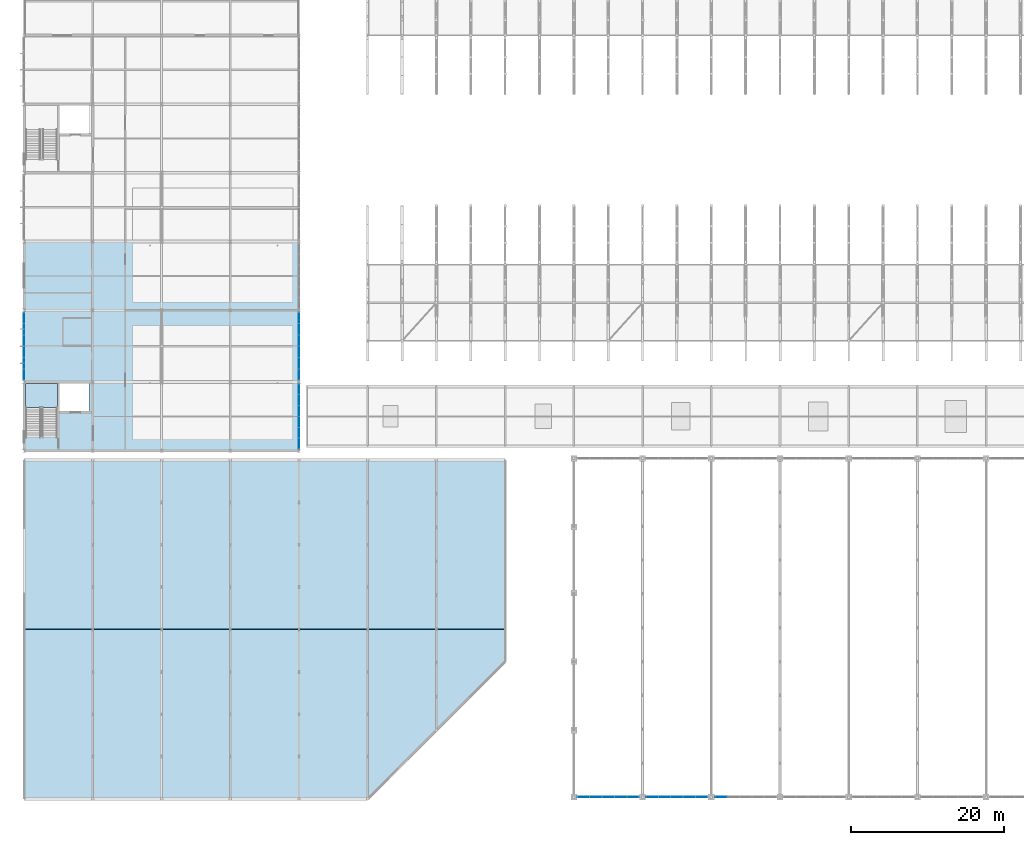
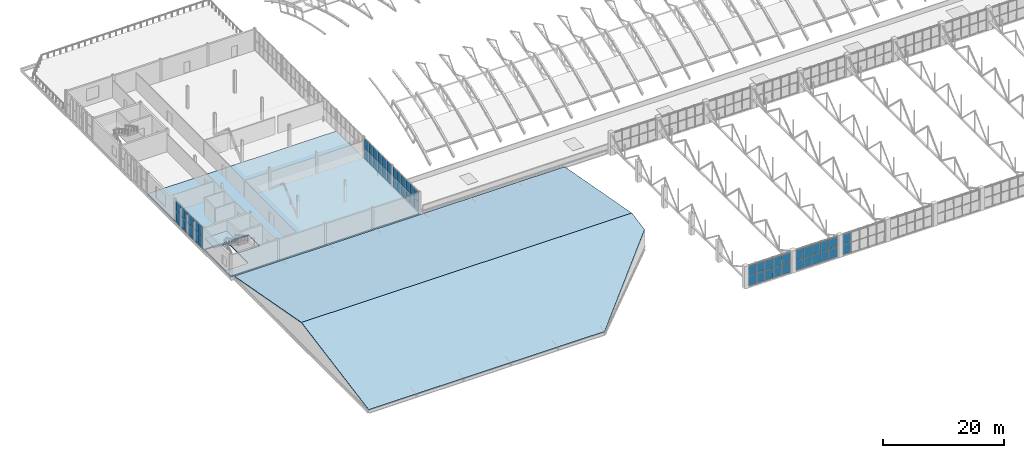
# One storey, part 72 of 103: 58 plates, 4 slabs, 7 elements without a shape of their own.
"""IFC4 building model written with IfcOpenShell, lengths in metres."""

from ifc_helpers import new_model, si_unit, direction, frame, origin, origin_2d, place, context, subcontext, project, spatial, polyline, rectangle, outline, extrude, material, layer, layer_set, type_object, element, aggregate, save


model = new_model("IFC4")

# Units and contexts
model_context = context("Model", 3, precision=1e-05, world=origin(), true_north=direction((0.0, 1.0)))
body_context = subcontext(model_context, "Body", "Model", "MODEL_VIEW")
ifc_project = project(units=[si_unit("LENGTHUNIT", "METRE"), si_unit("AREAUNIT", "SQUARE_METRE"), si_unit("VOLUMEUNIT", "CUBIC_METRE"), si_unit("PLANEANGLEUNIT", "RADIAN"), si_unit("MASSUNIT", "GRAM", prefix="KILO")], contexts=[model_context])

# Site, building, storey
site_placement = place(None, origin())
site = spatial("IfcSite", under=ifc_project, at=site_placement, CompositionType="ELEMENT")
building_placement = place(site_placement, origin())
building = spatial("IfcBuilding", under=site, at=building_placement, Name="Cazmaro Siding Exhibition Halls", CompositionType="ELEMENT")
storey_placement = place(building_placement, frame((0.0, 0.0, 16.5)))
storey = spatial("IfcBuildingStorey", under=building, at=storey_placement, Name="L03", CompositionType="ELEMENT", Elevation=16.5)

# Curtain wall, plates
ifc_material_1 = material(Name="Anodized Bronze Aluminum and Solar-Control Low-E Glazing", Category="aluminium")
ifc_layer_1 = layer(ifc_material_1, 0.179931640625)
ifc_layer_set_1 = layer_set([ifc_layer_1], Name="Anodized Bronze Aluminum and Solar-Control Low-E Glazing")
curtain_wall_type_1 = type_object("IfcCurtainWallType", Name="CWS-01", PredefinedType="USERDEFINED", material=ifc_layer_set_1)
curtain_wall_1_placement = place(storey_placement, origin())
curtain_wall_1 = element("IfcCurtainWall", 1, at=curtain_wall_1_placement, inside=storey, type_object=curtain_wall_type_1, Name="Glazed Curtain Wall CWS-01 CW-247", ObjectType="GLAZED CURTAIN WALL", PredefinedType="USERDEFINED")
ifc_material_2 = material(Name="Solar-Control Low-E Double Insulating Glass", Category="glass")
ifc_layer_2 = layer(ifc_material_2, 0.02392578125)
ifc_layer_set_2 = layer_set([ifc_layer_2], Name="Solar-Control Low-E Double Insulating Glass")
plate_type_1 = type_object("IfcPlateType", Name="CWP-01", PredefinedType="CURTAIN_PANEL", material=ifc_layer_set_2)
plate_1_placement = place(storey_placement, frame((36.0, 55.55908203125, 0.06005859375), z_axis=(0.0, 0.0, 1.0), x_axis=(0.0, 1.0, 0.0)))
plate_1 = element("IfcPlate", 2, at=plate_1_placement, type_object=plate_type_1, Name="CWS-01 panel 1.1", PredefinedType="CURTAIN_PANEL", context=body_context, shape_type="SweptSolid", body=[
    extrude(rectangle(XDim=1.332275390625, YDim=0.02392578125, at=origin_2d()), origin(), (0.0, 0.0, 1.0), 2.050048828125),
])
plate_2_placement = place(storey_placement, frame((36.0, 55.55908203125, 2.169921875), z_axis=(0.0, 0.0, 1.0), x_axis=(0.0, 1.0, 0.0)))
plate_2 = element("IfcPlate", 3, at=plate_2_placement, type_object=plate_type_1, Name="CWS-01 panel 1.2", PredefinedType="CURTAIN_PANEL", context=body_context, shape_type="SweptSolid", body=[
    extrude(rectangle(XDim=1.332275390625, YDim=0.02392578125, at=origin_2d()), origin(), (0.0, 0.0, 1.0), 2.050048828125),
])
plate_3_placement = place(storey_placement, frame((36.0, 56.966552734375, 0.06005859375), z_axis=(0.0, 0.0, 1.0), x_axis=(0.0, 1.0, 0.0)))
plate_3 = element("IfcPlate", 4, at=plate_3_placement, type_object=plate_type_1, Name="CWS-01 panel 2.1", PredefinedType="CURTAIN_PANEL", context=body_context, shape_type="SweptSolid", body=[
    extrude(rectangle(XDim=1.3623046875, YDim=0.02392578125, at=origin_2d()), origin(), (0.0, 0.0, 1.0), 2.050048828125),
])
plate_4_placement = place(storey_placement, frame((36.0, 56.966552734375, 2.169921875), z_axis=(0.0, 0.0, 1.0), x_axis=(0.0, 1.0, 0.0)))
plate_4 = element("IfcPlate", 5, at=plate_4_placement, type_object=plate_type_1, Name="CWS-01 panel 2.2", PredefinedType="CURTAIN_PANEL", context=body_context, shape_type="SweptSolid", body=[
    extrude(rectangle(XDim=1.3623046875, YDim=0.02392578125, at=origin_2d()), origin(), (0.0, 0.0, 1.0), 2.050048828125),
])
plate_5_placement = place(storey_placement, frame((36.0, 58.388916015625, 0.06005859375), z_axis=(0.0, 0.0, 1.0), x_axis=(0.0, 1.0, 0.0)))
plate_5 = element("IfcPlate", 6, at=plate_5_placement, type_object=plate_type_1, Name="CWS-01 panel 3.1", PredefinedType="CURTAIN_PANEL", context=body_context, shape_type="SweptSolid", body=[
    extrude(rectangle(XDim=1.3623046875, YDim=0.02392578125, at=origin_2d()), origin(), (0.0, 0.0, 1.0), 2.050048828125),
])
plate_6_placement = place(storey_placement, frame((36.0, 58.388916015625, 2.169921875), z_axis=(0.0, 0.0, 1.0), x_axis=(0.0, 1.0, 0.0)))
plate_6 = element("IfcPlate", 7, at=plate_6_placement, type_object=plate_type_1, Name="CWS-01 panel 3.2", PredefinedType="CURTAIN_PANEL", context=body_context, shape_type="SweptSolid", body=[
    extrude(rectangle(XDim=1.3623046875, YDim=0.02392578125, at=origin_2d()), origin(), (0.0, 0.0, 1.0), 2.050048828125),
])
plate_7_placement = place(storey_placement, frame((36.0, 59.811279296875, 0.06005859375), z_axis=(0.0, 0.0, 1.0), x_axis=(0.0, 1.0, 0.0)))
plate_7 = element("IfcPlate", 8, at=plate_7_placement, type_object=plate_type_1, Name="CWS-01 panel 4.1", PredefinedType="CURTAIN_PANEL", context=body_context, shape_type="SweptSolid", body=[
    extrude(rectangle(XDim=1.3623046875, YDim=0.02392578125, at=origin_2d()), origin(), (0.0, 0.0, 1.0), 2.050048828125),
])
plate_8_placement = place(storey_placement, frame((36.0, 59.811279296875, 2.169921875), z_axis=(0.0, 0.0, 1.0), x_axis=(0.0, 1.0, 0.0)))
plate_8 = element("IfcPlate", 9, at=plate_8_placement, type_object=plate_type_1, Name="CWS-01 panel 4.2", PredefinedType="CURTAIN_PANEL", context=body_context, shape_type="SweptSolid", body=[
    extrude(rectangle(XDim=1.3623046875, YDim=0.02392578125, at=origin_2d()), origin(), (0.0, 0.0, 1.0), 2.050048828125),
])
plate_9_placement = place(storey_placement, frame((36.0, 61.2333984375, 0.06005859375), z_axis=(0.0, 0.0, 1.0), x_axis=(0.0, 1.0, 0.0)))
plate_9 = element("IfcPlate", 10, at=plate_9_placement, type_object=plate_type_1, Name="CWS-01 panel 5.1", PredefinedType="CURTAIN_PANEL", context=body_context, shape_type="SweptSolid", body=[
    extrude(rectangle(XDim=1.3623046875, YDim=0.02392578125, at=origin_2d()), origin(), (0.0, 0.0, 1.0), 2.050048828125),
])
plate_10_placement = place(storey_placement, frame((36.0, 61.2333984375, 2.169921875), z_axis=(0.0, 0.0, 1.0), x_axis=(0.0, 1.0, 0.0)))
plate_10 = element("IfcPlate", 11, at=plate_10_placement, type_object=plate_type_1, Name="CWS-01 panel 5.2", PredefinedType="CURTAIN_PANEL", context=body_context, shape_type="SweptSolid", body=[
    extrude(rectangle(XDim=1.3623046875, YDim=0.02392578125, at=origin_2d()), origin(), (0.0, 0.0, 1.0), 2.050048828125),
])
plate_11_placement = place(storey_placement, frame((36.0, 62.640869140625, 0.06005859375), z_axis=(0.0, 0.0, 1.0), x_axis=(0.0, 1.0, 0.0)))
plate_11 = element("IfcPlate", 12, at=plate_11_placement, type_object=plate_type_1, Name="CWS-01 panel 6.1", PredefinedType="CURTAIN_PANEL", context=body_context, shape_type="SweptSolid", body=[
    extrude(rectangle(XDim=1.332275390625, YDim=0.02392578125, at=origin_2d()), origin(), (0.0, 0.0, 1.0), 2.050048828125),
])
plate_12_placement = place(storey_placement, frame((36.0, 62.640869140625, 2.169921875), z_axis=(0.0, 0.0, 1.0), x_axis=(0.0, 1.0, 0.0)))
plate_12 = element("IfcPlate", 13, at=plate_12_placement, type_object=plate_type_1, Name="CWS-01 panel 6.2", PredefinedType="CURTAIN_PANEL", context=body_context, shape_type="SweptSolid", body=[
    extrude(rectangle(XDim=1.332275390625, YDim=0.02392578125, at=origin_2d()), origin(), (0.0, 0.0, 1.0), 2.050048828125),
])
aggregate(curtain_wall_1, [plate_1, plate_2, plate_3, plate_4, plate_5, plate_6, plate_7, plate_8, plate_9, plate_10, plate_11, plate_12])

curtain_wall_2_placement = place(storey_placement, origin())
curtain_wall_2 = element("IfcCurtainWall", 14, at=curtain_wall_2_placement, inside=storey, type_object=curtain_wall_type_1, Name="Glazed Curtain Wall CWS-01 CW-249", ObjectType="GLAZED CURTAIN WALL", PredefinedType="USERDEFINED")
plate_13_placement = place(storey_placement, frame((36.0, 64.592529296875, 0.06005859375), z_axis=(0.0, 0.0, 1.0), x_axis=(0.0, 1.0, 0.0)))
plate_13 = element("IfcPlate", 15, at=plate_13_placement, type_object=plate_type_1, Name="CWS-01 panel 1.1", PredefinedType="CURTAIN_PANEL", context=body_context, shape_type="SweptSolid", body=[
    extrude(rectangle(XDim=1.39892578125, YDim=0.02392578125, at=origin_2d()), origin(), (0.0, 0.0, 1.0), 2.050048828125),
])
plate_14_placement = place(storey_placement, frame((36.0, 64.592529296875, 2.169921875), z_axis=(0.0, 0.0, 1.0), x_axis=(0.0, 1.0, 0.0)))
plate_14 = element("IfcPlate", 16, at=plate_14_placement, type_object=plate_type_1, Name="CWS-01 panel 1.2", PredefinedType="CURTAIN_PANEL", context=body_context, shape_type="SweptSolid", body=[
    extrude(rectangle(XDim=1.39892578125, YDim=0.02392578125, at=origin_2d()), origin(), (0.0, 0.0, 1.0), 2.050048828125),
])
plate_15_placement = place(storey_placement, frame((36.0, 66.06640625, 0.06005859375), z_axis=(0.0, 0.0, 1.0), x_axis=(0.0, 1.0, 0.0)))
plate_15 = element("IfcPlate", 17, at=plate_15_placement, type_object=plate_type_1, Name="CWS-01 panel 2.1", PredefinedType="CURTAIN_PANEL", context=body_context, shape_type="SweptSolid", body=[
    extrude(rectangle(XDim=1.428955078125, YDim=0.02392578125, at=origin_2d()), origin(), (0.0, 0.0, 1.0), 2.050048828125),
])
plate_16_placement = place(storey_placement, frame((36.0, 66.06640625, 2.169921875), z_axis=(0.0, 0.0, 1.0), x_axis=(0.0, 1.0, 0.0)))
plate_16 = element("IfcPlate", 18, at=plate_16_placement, type_object=plate_type_1, Name="CWS-01 panel 2.2", PredefinedType="CURTAIN_PANEL", context=body_context, shape_type="SweptSolid", body=[
    extrude(rectangle(XDim=1.428955078125, YDim=0.02392578125, at=origin_2d()), origin(), (0.0, 0.0, 1.0), 2.050048828125),
])
plate_17_placement = place(storey_placement, frame((36.0, 67.555419921875, 0.06005859375), z_axis=(0.0, 0.0, 1.0), x_axis=(0.0, 1.0, 0.0)))
plate_17 = element("IfcPlate", 19, at=plate_17_placement, type_object=plate_type_1, Name="CWS-01 panel 3.1", PredefinedType="CURTAIN_PANEL", context=body_context, shape_type="SweptSolid", body=[
    extrude(rectangle(XDim=1.428955078125, YDim=0.02392578125, at=origin_2d()), origin(), (0.0, 0.0, 1.0), 2.050048828125),
])
plate_18_placement = place(storey_placement, frame((36.0, 67.555419921875, 2.169921875), z_axis=(0.0, 0.0, 1.0), x_axis=(0.0, 1.0, 0.0)))
plate_18 = element("IfcPlate", 20, at=plate_18_placement, type_object=plate_type_1, Name="CWS-01 panel 3.2", PredefinedType="CURTAIN_PANEL", context=body_context, shape_type="SweptSolid", body=[
    extrude(rectangle(XDim=1.428955078125, YDim=0.02392578125, at=origin_2d()), origin(), (0.0, 0.0, 1.0), 2.050048828125),
])
plate_19_placement = place(storey_placement, frame((36.0, 69.04443359375, 0.06005859375), z_axis=(0.0, 0.0, 1.0), x_axis=(0.0, 1.0, 0.0)))
plate_19 = element("IfcPlate", 21, at=plate_19_placement, type_object=plate_type_1, Name="CWS-01 panel 4.1", PredefinedType="CURTAIN_PANEL", context=body_context, shape_type="SweptSolid", body=[
    extrude(rectangle(XDim=1.428955078125, YDim=0.02392578125, at=origin_2d()), origin(), (0.0, 0.0, 1.0), 2.050048828125),
])
plate_20_placement = place(storey_placement, frame((36.0, 69.04443359375, 2.169921875), z_axis=(0.0, 0.0, 1.0), x_axis=(0.0, 1.0, 0.0)))
plate_20 = element("IfcPlate", 22, at=plate_20_placement, type_object=plate_type_1, Name="CWS-01 panel 4.2", PredefinedType="CURTAIN_PANEL", context=body_context, shape_type="SweptSolid", body=[
    extrude(rectangle(XDim=1.428955078125, YDim=0.02392578125, at=origin_2d()), origin(), (0.0, 0.0, 1.0), 2.050048828125),
])
plate_21_placement = place(storey_placement, frame((36.0, 70.533447265625, 0.06005859375), z_axis=(0.0, 0.0, 1.0), x_axis=(0.0, 1.0, 0.0)))
plate_21 = element("IfcPlate", 23, at=plate_21_placement, type_object=plate_type_1, Name="CWS-01 panel 5.1", PredefinedType="CURTAIN_PANEL", context=body_context, shape_type="SweptSolid", body=[
    extrude(rectangle(XDim=1.428955078125, YDim=0.02392578125, at=origin_2d()), origin(), (0.0, 0.0, 1.0), 2.050048828125),
])
plate_22_placement = place(storey_placement, frame((36.0, 70.533447265625, 2.169921875), z_axis=(0.0, 0.0, 1.0), x_axis=(0.0, 1.0, 0.0)))
plate_22 = element("IfcPlate", 24, at=plate_22_placement, type_object=plate_type_1, Name="CWS-01 panel 5.2", PredefinedType="CURTAIN_PANEL", context=body_context, shape_type="SweptSolid", body=[
    extrude(rectangle(XDim=1.428955078125, YDim=0.02392578125, at=origin_2d()), origin(), (0.0, 0.0, 1.0), 2.050048828125),
])
plate_23_placement = place(storey_placement, frame((36.0, 72.007568359375, 0.06005859375), z_axis=(0.0, 0.0, 1.0), x_axis=(0.0, 1.0, 0.0)))
plate_23 = element("IfcPlate", 25, at=plate_23_placement, type_object=plate_type_1, Name="CWS-01 panel 6.1", PredefinedType="CURTAIN_PANEL", context=body_context, shape_type="SweptSolid", body=[
    extrude(rectangle(XDim=1.39892578125, YDim=0.02392578125, at=origin_2d()), origin(), (0.0, 0.0, 1.0), 2.050048828125),
])
plate_24_placement = place(storey_placement, frame((36.0, 72.007568359375, 2.169921875), z_axis=(0.0, 0.0, 1.0), x_axis=(0.0, 1.0, 0.0)))
plate_24 = element("IfcPlate", 26, at=plate_24_placement, type_object=plate_type_1, Name="CWS-01 panel 6.2", PredefinedType="CURTAIN_PANEL", context=body_context, shape_type="SweptSolid", body=[
    extrude(rectangle(XDim=1.39892578125, YDim=0.02392578125, at=origin_2d()), origin(), (0.0, 0.0, 1.0), 2.050048828125),
])
aggregate(curtain_wall_2, [plate_13, plate_14, plate_15, plate_16, plate_17, plate_18, plate_19, plate_20, plate_21, plate_22, plate_23, plate_24])

ifc_material_3 = material(Name="Anodized Bronze Aluminum and Solar-Control Low-E Glazing", Category="aluminium")
ifc_layer_3 = layer(ifc_material_3, 0.199951171875)
ifc_layer_set_3 = layer_set([ifc_layer_3], Name="Anodized Bronze Aluminum and Solar-Control Low-E Glazing")
curtain_wall_type_2 = type_object("IfcCurtainWallType", Name="CWS-02", PredefinedType="USERDEFINED", material=ifc_layer_set_3)
curtain_wall_3_placement = place(storey_placement, origin())
curtain_wall_3 = element("IfcCurtainWall", 27, at=curtain_wall_3_placement, inside=storey, type_object=curtain_wall_type_2, Name="Glazed Curtain Wall CWS-02 CW-248", ObjectType="GLAZED CURTAIN WALL", PredefinedType="USERDEFINED")
ifc_material_4 = material(Name="Solar-Control Low-E Double Insulating Glass", Category="glass")
ifc_layer_4 = layer(ifc_material_4, 0.035888671875)
ifc_layer_set_4 = layer_set([ifc_layer_4], Name="Solar-Control Low-E Double Insulating Glass")
plate_type_2 = type_object("IfcPlateType", Name="CWP-02", PredefinedType="CURTAIN_PANEL", material=ifc_layer_set_4)
plate_25_placement = place(storey_placement, frame((0.0, 72.00634765625, 0.06494140625), z_axis=(0.0, 0.0, 1.0), x_axis=(0.0, -1.0, 0.0)))
plate_25 = element("IfcPlate", 28, at=plate_25_placement, type_object=plate_type_2, Name="CWS-02 panel 1.1", PredefinedType="CURTAIN_PANEL", context=body_context, shape_type="SweptSolid", body=[
    extrude(rectangle(XDim=1.3916015625, YDim=0.035888671875, at=origin_2d()), origin(), (0.0, 0.0, 1.0), 2.04248046875),
])
plate_26_placement = place(storey_placement, frame((0.0, 72.00634765625, 2.172607421875), z_axis=(0.0, 0.0, 1.0), x_axis=(0.0, -1.0, 0.0)))
plate_26 = element("IfcPlate", 29, at=plate_26_placement, type_object=plate_type_2, Name="CWS-02 panel 1.2", PredefinedType="CURTAIN_PANEL", context=body_context, shape_type="SweptSolid", body=[
    extrude(rectangle(XDim=1.3916015625, YDim=0.035888671875, at=origin_2d()), origin(), (0.0, 0.0, 1.0), 2.04248046875),
])
plate_27_placement = place(storey_placement, frame((0.0, 70.533447265625, 0.06494140625), z_axis=(0.0, 0.0, 1.0), x_axis=(0.0, -1.0, 0.0)))
plate_27 = element("IfcPlate", 30, at=plate_27_placement, type_object=plate_type_2, Name="CWS-02 panel 2.1", PredefinedType="CURTAIN_PANEL", context=body_context, shape_type="SweptSolid", body=[
    extrude(rectangle(XDim=1.424072265625, YDim=0.035888671875, at=origin_2d()), origin(), (0.0, 0.0, 1.0), 2.04248046875),
])
plate_28_placement = place(storey_placement, frame((0.0, 70.533447265625, 2.172607421875), z_axis=(0.0, 0.0, 1.0), x_axis=(0.0, -1.0, 0.0)))
plate_28 = element("IfcPlate", 31, at=plate_28_placement, type_object=plate_type_2, Name="CWS-02 panel 2.2", PredefinedType="CURTAIN_PANEL", context=body_context, shape_type="SweptSolid", body=[
    extrude(rectangle(XDim=1.424072265625, YDim=0.035888671875, at=origin_2d()), origin(), (0.0, 0.0, 1.0), 2.04248046875),
])
plate_29_placement = place(storey_placement, frame((0.0, 69.04443359375, 0.06494140625), z_axis=(0.0, 0.0, 1.0), x_axis=(0.0, -1.0, 0.0)))
plate_29 = element("IfcPlate", 32, at=plate_29_placement, type_object=plate_type_2, Name="CWS-02 panel 3.1", PredefinedType="CURTAIN_PANEL", context=body_context, shape_type="SweptSolid", body=[
    extrude(rectangle(XDim=1.424072265625, YDim=0.035888671875, at=origin_2d()), origin(), (0.0, 0.0, 1.0), 2.04248046875),
])
plate_30_placement = place(storey_placement, frame((0.0, 69.04443359375, 2.172607421875), z_axis=(0.0, 0.0, 1.0), x_axis=(0.0, -1.0, 0.0)))
plate_30 = element("IfcPlate", 33, at=plate_30_placement, type_object=plate_type_2, Name="CWS-02 panel 3.2", PredefinedType="CURTAIN_PANEL", context=body_context, shape_type="SweptSolid", body=[
    extrude(rectangle(XDim=1.424072265625, YDim=0.035888671875, at=origin_2d()), origin(), (0.0, 0.0, 1.0), 2.04248046875),
])
plate_31_placement = place(storey_placement, frame((0.0, 67.555419921875, 0.06494140625), z_axis=(0.0, 0.0, 1.0), x_axis=(0.0, -1.0, 0.0)))
plate_31 = element("IfcPlate", 34, at=plate_31_placement, type_object=plate_type_2, Name="CWS-02 panel 4.1", PredefinedType="CURTAIN_PANEL", context=body_context, shape_type="SweptSolid", body=[
    extrude(rectangle(XDim=1.424072265625, YDim=0.035888671875, at=origin_2d()), origin(), (0.0, 0.0, 1.0), 2.04248046875),
])
plate_32_placement = place(storey_placement, frame((0.0, 67.555419921875, 2.172607421875), z_axis=(0.0, 0.0, 1.0), x_axis=(0.0, -1.0, 0.0)))
plate_32 = element("IfcPlate", 35, at=plate_32_placement, type_object=plate_type_2, Name="CWS-02 panel 4.2", PredefinedType="CURTAIN_PANEL", context=body_context, shape_type="SweptSolid", body=[
    extrude(rectangle(XDim=1.424072265625, YDim=0.035888671875, at=origin_2d()), origin(), (0.0, 0.0, 1.0), 2.04248046875),
])
plate_33_placement = place(storey_placement, frame((0.0, 66.06640625, 0.06494140625), z_axis=(0.0, 0.0, 1.0), x_axis=(0.0, -1.0, 0.0)))
plate_33 = element("IfcPlate", 36, at=plate_33_placement, type_object=plate_type_2, Name="CWS-02 panel 5.1", PredefinedType="CURTAIN_PANEL", context=body_context, shape_type="SweptSolid", body=[
    extrude(rectangle(XDim=1.424072265625, YDim=0.035888671875, at=origin_2d()), origin(), (0.0, 0.0, 1.0), 2.04248046875),
])
plate_34_placement = place(storey_placement, frame((0.0, 66.06640625, 2.172607421875), z_axis=(0.0, 0.0, 1.0), x_axis=(0.0, -1.0, 0.0)))
plate_34 = element("IfcPlate", 37, at=plate_34_placement, type_object=plate_type_2, Name="CWS-02 panel 5.2", PredefinedType="CURTAIN_PANEL", context=body_context, shape_type="SweptSolid", body=[
    extrude(rectangle(XDim=1.424072265625, YDim=0.035888671875, at=origin_2d()), origin(), (0.0, 0.0, 1.0), 2.04248046875),
])
plate_35_placement = place(storey_placement, frame((0.0, 64.59375, 0.06494140625), z_axis=(0.0, 0.0, 1.0), x_axis=(0.0, -1.0, 0.0)))
plate_35 = element("IfcPlate", 38, at=plate_35_placement, type_object=plate_type_2, Name="CWS-02 panel 6.1", PredefinedType="CURTAIN_PANEL", context=body_context, shape_type="SweptSolid", body=[
    extrude(rectangle(XDim=1.3916015625, YDim=0.035888671875, at=origin_2d()), origin(), (0.0, 0.0, 1.0), 2.04248046875),
])
plate_36_placement = place(storey_placement, frame((0.0, 64.59375, 2.172607421875), z_axis=(0.0, 0.0, 1.0), x_axis=(0.0, -1.0, 0.0)))
plate_36 = element("IfcPlate", 39, at=plate_36_placement, type_object=plate_type_2, Name="CWS-02 panel 6.2", PredefinedType="CURTAIN_PANEL", context=body_context, shape_type="SweptSolid", body=[
    extrude(rectangle(XDim=1.3916015625, YDim=0.035888671875, at=origin_2d()), origin(), (0.0, 0.0, 1.0), 2.04248046875),
])
aggregate(curtain_wall_3, [plate_25, plate_26, plate_27, plate_28, plate_29, plate_30, plate_31, plate_32, plate_33, plate_34, plate_35, plate_36])

ifc_material_5 = material(Name="Anodized Bronze Aluminum and Solar-Control Low-E Glazing", Category="aluminium")
ifc_layer_5 = layer(ifc_material_5, 0.159912109375)
ifc_layer_set_5 = layer_set([ifc_layer_5], Name="Anodized Bronze Aluminum and Solar-Control Low-E Glazing")
curtain_wall_type_3 = type_object("IfcCurtainWallType", Name="CWS-04", PredefinedType="USERDEFINED", material=ifc_layer_set_5)
curtain_wall_4_placement = place(storey_placement, origin())
curtain_wall_4 = element("IfcCurtainWall", 40, at=curtain_wall_4_placement, inside=storey, type_object=curtain_wall_type_3, Name="Clerestory Curtain Wall CWS-04 CW-080", ObjectType="CLERESTORY CURTAIN WALL", PredefinedType="USERDEFINED")
ifc_material_6 = material(Name="Solar-Control Low-E Double Insulating Glass", Category="glass")
ifc_layer_6 = layer(ifc_material_6, 0.028076171875)
ifc_layer_set_6 = layer_set([ifc_layer_6], Name="Solar-Control Low-E Double Insulating Glass")
plate_type_3 = type_object("IfcPlateType", Name="CWP-04", PredefinedType="CURTAIN_PANEL", material=ifc_layer_set_6)
plate_37_placement = place(storey_placement, frame((73.27099609375, 9.25, 0.06005859375), z_axis=(0.0, 0.0, 1.0), x_axis=(1.0, 0.0, 0.0)))
plate_37 = element("IfcPlate", 41, at=plate_37_placement, type_object=plate_type_3, Name="CWS-04 panel 1.1", PredefinedType="CURTAIN_PANEL", context=body_context, shape_type="SweptSolid", body=[
    extrude(rectangle(XDim=1.531982421875, YDim=0.028076171875, at=origin_2d()), origin(), (0.0, 0.0, 1.0), 2.010009765625),
])
plate_38_placement = place(storey_placement, frame((73.27099609375, 9.25, 2.130126953125), z_axis=(0.0, 0.0, 1.0), x_axis=(1.0, 0.0, 0.0)))
plate_38 = element("IfcPlate", 42, at=plate_38_placement, type_object=plate_type_3, Name="CWS-04 panel 1.2", PredefinedType="CURTAIN_PANEL", context=body_context, shape_type="SweptSolid", body=[
    extrude(rectangle(XDim=1.531982421875, YDim=0.028076171875, at=origin_2d()), origin(), (0.0, 0.0, 1.0), 1.9599609375),
])
plate_39_placement = place(storey_placement, frame((74.8779296875, 9.25, 0.06005859375), z_axis=(0.0, 0.0, 1.0), x_axis=(1.0, 0.0, 0.0)))
plate_39 = element("IfcPlate", 43, at=plate_39_placement, type_object=plate_type_3, Name="CWS-04 panel 2.1", PredefinedType="CURTAIN_PANEL", context=body_context, shape_type="SweptSolid", body=[
    extrude(rectangle(XDim=1.56201171875, YDim=0.028076171875, at=origin_2d()), origin(), (0.0, 0.0, 1.0), 2.010009765625),
])
plate_40_placement = place(storey_placement, frame((74.8779296875, 9.25, 2.130126953125), z_axis=(0.0, 0.0, 1.0), x_axis=(1.0, 0.0, 0.0)))
plate_40 = element("IfcPlate", 44, at=plate_40_placement, type_object=plate_type_3, Name="CWS-04 panel 2.2", PredefinedType="CURTAIN_PANEL", context=body_context, shape_type="SweptSolid", body=[
    extrude(rectangle(XDim=1.56201171875, YDim=0.028076171875, at=origin_2d()), origin(), (0.0, 0.0, 1.0), 1.9599609375),
])
plate_41_placement = place(storey_placement, frame((76.5, 9.25, 0.06005859375), z_axis=(0.0, 0.0, 1.0), x_axis=(1.0, 0.0, 0.0)))
plate_41 = element("IfcPlate", 45, at=plate_41_placement, type_object=plate_type_3, Name="CWS-04 panel 3.1", PredefinedType="CURTAIN_PANEL", context=body_context, shape_type="SweptSolid", body=[
    extrude(rectangle(XDim=1.56201171875, YDim=0.028076171875, at=origin_2d()), origin(), (0.0, 0.0, 1.0), 2.010009765625),
])
plate_42_placement = place(storey_placement, frame((76.5, 9.25, 2.130126953125), z_axis=(0.0, 0.0, 1.0), x_axis=(1.0, 0.0, 0.0)))
plate_42 = element("IfcPlate", 46, at=plate_42_placement, type_object=plate_type_3, Name="CWS-04 panel 3.2", PredefinedType="CURTAIN_PANEL", context=body_context, shape_type="SweptSolid", body=[
    extrude(rectangle(XDim=1.56201171875, YDim=0.028076171875, at=origin_2d()), origin(), (0.0, 0.0, 1.0), 1.9599609375),
])
plate_43_placement = place(storey_placement, frame((78.1220703125, 9.25, 0.06005859375), z_axis=(0.0, 0.0, 1.0), x_axis=(1.0, 0.0, 0.0)))
plate_43 = element("IfcPlate", 47, at=plate_43_placement, type_object=plate_type_3, Name="CWS-04 panel 4.1", PredefinedType="CURTAIN_PANEL", context=body_context, shape_type="SweptSolid", body=[
    extrude(rectangle(XDim=1.56201171875, YDim=0.028076171875, at=origin_2d()), origin(), (0.0, 0.0, 1.0), 2.010009765625),
])
plate_44_placement = place(storey_placement, frame((78.1220703125, 9.25, 2.130126953125), z_axis=(0.0, 0.0, 1.0), x_axis=(1.0, 0.0, 0.0)))
plate_44 = element("IfcPlate", 48, at=plate_44_placement, type_object=plate_type_3, Name="CWS-04 panel 4.2", PredefinedType="CURTAIN_PANEL", context=body_context, shape_type="SweptSolid", body=[
    extrude(rectangle(XDim=1.56201171875, YDim=0.028076171875, at=origin_2d()), origin(), (0.0, 0.0, 1.0), 1.9599609375),
])
plate_45_placement = place(storey_placement, frame((79.72900390625, 9.25, 0.06005859375), z_axis=(0.0, 0.0, 1.0), x_axis=(1.0, 0.0, 0.0)))
plate_45 = element("IfcPlate", 49, at=plate_45_placement, type_object=plate_type_3, Name="CWS-04 panel 5.1", PredefinedType="CURTAIN_PANEL", context=body_context, shape_type="SweptSolid", body=[
    extrude(rectangle(XDim=1.531982421875, YDim=0.028076171875, at=origin_2d()), origin(), (0.0, 0.0, 1.0), 2.010009765625),
])
plate_46_placement = place(storey_placement, frame((79.72900390625, 9.25, 2.130126953125), z_axis=(0.0, 0.0, 1.0), x_axis=(1.0, 0.0, 0.0)))
plate_46 = element("IfcPlate", 50, at=plate_46_placement, type_object=plate_type_3, Name="CWS-04 panel 5.2", PredefinedType="CURTAIN_PANEL", context=body_context, shape_type="SweptSolid", body=[
    extrude(rectangle(XDim=1.531982421875, YDim=0.028076171875, at=origin_2d()), origin(), (0.0, 0.0, 1.0), 1.9599609375),
])
aggregate(curtain_wall_4, [plate_37, plate_38, plate_39, plate_40, plate_41, plate_42, plate_43, plate_44, plate_45, plate_46])

curtain_wall_5_placement = place(storey_placement, origin())
curtain_wall_5 = element("IfcCurtainWall", 51, at=curtain_wall_5_placement, inside=storey, type_object=curtain_wall_type_3, Name="Clerestory Curtain Wall CWS-04 CW-082", ObjectType="CLERESTORY CURTAIN WALL", PredefinedType="USERDEFINED")
plate_47_placement = place(storey_placement, frame((82.27099609375, 9.25, 0.06005859375), z_axis=(0.0, 0.0, 1.0), x_axis=(1.0, 0.0, 0.0)))
plate_47 = element("IfcPlate", 52, at=plate_47_placement, type_object=plate_type_3, Name="CWS-04 panel 1.1", PredefinedType="CURTAIN_PANEL", context=body_context, shape_type="SweptSolid", body=[
    extrude(rectangle(XDim=1.531982421875, YDim=0.028076171875, at=origin_2d()), origin(), (0.0, 0.0, 1.0), 2.010009765625),
])
plate_48_placement = place(storey_placement, frame((82.27099609375, 9.25, 2.130126953125), z_axis=(0.0, 0.0, 1.0), x_axis=(1.0, 0.0, 0.0)))
plate_48 = element("IfcPlate", 53, at=plate_48_placement, type_object=plate_type_3, Name="CWS-04 panel 1.2", PredefinedType="CURTAIN_PANEL", context=body_context, shape_type="SweptSolid", body=[
    extrude(rectangle(XDim=1.531982421875, YDim=0.028076171875, at=origin_2d()), origin(), (0.0, 0.0, 1.0), 1.9599609375),
])
plate_49_placement = place(storey_placement, frame((83.8779296875, 9.25, 0.06005859375), z_axis=(0.0, 0.0, 1.0), x_axis=(1.0, 0.0, 0.0)))
plate_49 = element("IfcPlate", 54, at=plate_49_placement, type_object=plate_type_3, Name="CWS-04 panel 2.1", PredefinedType="CURTAIN_PANEL", context=body_context, shape_type="SweptSolid", body=[
    extrude(rectangle(XDim=1.56201171875, YDim=0.028076171875, at=origin_2d()), origin(), (0.0, 0.0, 1.0), 2.010009765625),
])
plate_50_placement = place(storey_placement, frame((83.8779296875, 9.25, 2.130126953125), z_axis=(0.0, 0.0, 1.0), x_axis=(1.0, 0.0, 0.0)))
plate_50 = element("IfcPlate", 55, at=plate_50_placement, type_object=plate_type_3, Name="CWS-04 panel 2.2", PredefinedType="CURTAIN_PANEL", context=body_context, shape_type="SweptSolid", body=[
    extrude(rectangle(XDim=1.56201171875, YDim=0.028076171875, at=origin_2d()), origin(), (0.0, 0.0, 1.0), 1.9599609375),
])
plate_51_placement = place(storey_placement, frame((85.5, 9.25, 0.06005859375), z_axis=(0.0, 0.0, 1.0), x_axis=(1.0, 0.0, 0.0)))
plate_51 = element("IfcPlate", 56, at=plate_51_placement, type_object=plate_type_3, Name="CWS-04 panel 3.1", PredefinedType="CURTAIN_PANEL", context=body_context, shape_type="SweptSolid", body=[
    extrude(rectangle(XDim=1.56201171875, YDim=0.028076171875, at=origin_2d()), origin(), (0.0, 0.0, 1.0), 2.010009765625),
])
plate_52_placement = place(storey_placement, frame((85.5, 9.25, 2.130126953125), z_axis=(0.0, 0.0, 1.0), x_axis=(1.0, 0.0, 0.0)))
plate_52 = element("IfcPlate", 57, at=plate_52_placement, type_object=plate_type_3, Name="CWS-04 panel 3.2", PredefinedType="CURTAIN_PANEL", context=body_context, shape_type="SweptSolid", body=[
    extrude(rectangle(XDim=1.56201171875, YDim=0.028076171875, at=origin_2d()), origin(), (0.0, 0.0, 1.0), 1.9599609375),
])
plate_53_placement = place(storey_placement, frame((87.1220703125, 9.25, 0.06005859375), z_axis=(0.0, 0.0, 1.0), x_axis=(1.0, 0.0, 0.0)))
plate_53 = element("IfcPlate", 58, at=plate_53_placement, type_object=plate_type_3, Name="CWS-04 panel 4.1", PredefinedType="CURTAIN_PANEL", context=body_context, shape_type="SweptSolid", body=[
    extrude(rectangle(XDim=1.56201171875, YDim=0.028076171875, at=origin_2d()), origin(), (0.0, 0.0, 1.0), 2.010009765625),
])
plate_54_placement = place(storey_placement, frame((87.1220703125, 9.25, 2.130126953125), z_axis=(0.0, 0.0, 1.0), x_axis=(1.0, 0.0, 0.0)))
plate_54 = element("IfcPlate", 59, at=plate_54_placement, type_object=plate_type_3, Name="CWS-04 panel 4.2", PredefinedType="CURTAIN_PANEL", context=body_context, shape_type="SweptSolid", body=[
    extrude(rectangle(XDim=1.56201171875, YDim=0.028076171875, at=origin_2d()), origin(), (0.0, 0.0, 1.0), 1.9599609375),
])
plate_55_placement = place(storey_placement, frame((88.72900390625, 9.25, 0.06005859375), z_axis=(0.0, 0.0, 1.0), x_axis=(1.0, 0.0, 0.0)))
plate_55 = element("IfcPlate", 60, at=plate_55_placement, type_object=plate_type_3, Name="CWS-04 panel 5.1", PredefinedType="CURTAIN_PANEL", context=body_context, shape_type="SweptSolid", body=[
    extrude(rectangle(XDim=1.531982421875, YDim=0.028076171875, at=origin_2d()), origin(), (0.0, 0.0, 1.0), 2.010009765625),
])
plate_56_placement = place(storey_placement, frame((88.72900390625, 9.25, 2.130126953125), z_axis=(0.0, 0.0, 1.0), x_axis=(1.0, 0.0, 0.0)))
plate_56 = element("IfcPlate", 61, at=plate_56_placement, type_object=plate_type_3, Name="CWS-04 panel 5.2", PredefinedType="CURTAIN_PANEL", context=body_context, shape_type="SweptSolid", body=[
    extrude(rectangle(XDim=1.531982421875, YDim=0.028076171875, at=origin_2d()), origin(), (0.0, 0.0, 1.0), 1.9599609375),
])
aggregate(curtain_wall_5, [plate_47, plate_48, plate_49, plate_50, plate_51, plate_52, plate_53, plate_54, plate_55, plate_56])

curtain_wall_6_placement = place(storey_placement, origin())
curtain_wall_6 = element("IfcCurtainWall", 62, at=curtain_wall_6_placement, inside=storey, type_object=curtain_wall_type_3, Name="Clerestory Curtain Wall CWS-04 CW-084", ObjectType="CLERESTORY CURTAIN WALL", PredefinedType="USERDEFINED")
plate_57_placement = place(storey_placement, frame((91.27099609375, 9.25, 0.06005859375), z_axis=(0.0, 0.0, 1.0), x_axis=(1.0, 0.0, 0.0)))
plate_57 = element("IfcPlate", 63, at=plate_57_placement, type_object=plate_type_3, Name="CWS-04 panel 1.1", PredefinedType="CURTAIN_PANEL", context=body_context, shape_type="SweptSolid", body=[
    extrude(rectangle(XDim=1.531982421875, YDim=0.028076171875, at=origin_2d()), origin(), (0.0, 0.0, 1.0), 2.010009765625),
])
plate_58_placement = place(storey_placement, frame((91.27099609375, 9.25, 2.130126953125), z_axis=(0.0, 0.0, 1.0), x_axis=(1.0, 0.0, 0.0)))
plate_58 = element("IfcPlate", 64, at=plate_58_placement, type_object=plate_type_3, Name="CWS-04 panel 1.2", PredefinedType="CURTAIN_PANEL", context=body_context, shape_type="SweptSolid", body=[
    extrude(rectangle(XDim=1.531982421875, YDim=0.028076171875, at=origin_2d()), origin(), (0.0, 0.0, 1.0), 1.9599609375),
])
aggregate(curtain_wall_6, [plate_57, plate_58])

# Slab
ifc_material_7 = material(Name="Concrete f'c 35 MPa", Category="concrete")
ifc_layer_7 = layer(ifc_material_7, 0.219970703125)
ifc_layer_set_7 = layer_set([ifc_layer_7], Name="Concrete f'c 35 MPa")
slab_type_1 = type_object("IfcSlabType", Name="FS-01", PredefinedType="FLOOR", material=ifc_layer_set_7)
slab_1_placement = place(storey_placement, frame((0.0, 0.0, -0.219970703125)))
element("IfcSlab", 65, at=slab_1_placement, inside=storey, type_object=slab_type_1, Name="West Wing South L03 FS-01 SLB-0039", PredefinedType="FLOOR", context=body_context, shape_type="SweptSolid", body=[
    extrude(outline(polyline([(0.0, 54.60009765625), (36.0, 54.60009765625), (36.0, 82.0), (0.0, 82.0), (0.0, 54.60009765625)]), holes=[polyline([(0.179931640625, 56.3798828125), (4.375, 56.3798828125), (4.375, 63.419921875), (0.179931640625, 63.419921875), (0.179931640625, 56.3798828125)]), polyline([(4.625, 59.719970703125), (8.47998046875, 59.719970703125), (8.47998046875, 63.419921875), (4.625, 63.419921875), (4.625, 59.719970703125)])]), origin(), (0.0, 0.0, 1.0), 0.219970703125),
])

# Stair, slab
ifc_material_8 = material(Name="Concrete f'c 40 MPa", Category="concrete")
stair_type = type_object("IfcStairType", Name="STT-16", PredefinedType="TWO_STRAIGHT_RUN_STAIR", material=ifc_material_8)
stair_placement = place(storey_placement, origin())
stair = element("IfcStair", 66, at=stair_placement, inside=storey, type_object=stair_type, Name="Core C7 Exit Stair L03-L04 ST-16", PredefinedType="TWO_STRAIGHT_RUN_STAIR")
ifc_material_9 = material(Name="Concrete f'c 40 MPa", Category="concrete")
ifc_layer_8 = layer(ifc_material_9, 0.199951171875)
ifc_layer_set_8 = layer_set([ifc_layer_8], Name="Concrete f'c 40 MPa")
slab_type_2 = type_object("IfcSlabType", Name="LND-16", PredefinedType="LANDING", material=ifc_layer_set_8)
slab_2_placement = place(storey_placement, frame((0.0, 0.0, 2.050048828125)))
slab_2 = element("IfcSlab", 67, at=slab_2_placement, type_object=slab_type_2, Name="ST-16 landing 1", PredefinedType="LANDING", context=body_context, shape_type="SweptSolid", body=[
    extrude(outline(polyline([(0.175048828125, 60.239990234375), (4.3798828125, 60.239990234375), (4.3798828125, 63.425048828125), (0.175048828125, 63.425048828125), (0.175048828125, 60.239990234375)])), origin(), (0.0, 0.0, 1.0), 0.199951171875),
])
aggregate(stair, [slab_2])

# Slabs
ifc_material_10 = material(Name="Concrete f'c 35 MPa", Category="concrete")
ifc_layer_9 = layer(ifc_material_10, 0.175048828125)
ifc_layer_set_9 = layer_set([ifc_layer_9], Name="Concrete f'c 35 MPa")
slab_type_3 = type_object("IfcSlabType", Name="RS-02", PredefinedType="ROOF", material=ifc_layer_set_9)
slab_3_placement = place(storey_placement, frame((0.0, 9.0, 0.699951171875), z_axis=(4.840173e-06, -0.18225955135, 0.983250454319), x_axis=(0.999999999988, 8.82168e-07, -4.759103e-06)))
element("IfcSlab", 68, at=slab_3_placement, inside=storey, type_object=slab_type_3, Name="Congress Auditorium South Folded Roof RS-02 SLB-0088", PredefinedType="ROOF", context=body_context, shape_type="SweptSolid", body=[
    extrude(outline(polyline([(0.0, 0.0), (44.999999999472884, 4.7645603283054394e-21), (63.00000000221388, 18.306514650035787), (62.99999999968374, 22.578108349794174), (4.216910224972409e-10, 22.578108349794174), (0.0, 0.0)])), origin(), (0.0, 0.0, -1.0), 0.175048828125),
])
slab_4_placement = place(storey_placement, frame((0.0, 31.199951171875, 4.81494140625), z_axis=(0.0, 0.18225575724, 0.983251157616), x_axis=(1.0, 0.0, 0.0)))
element("IfcSlab", 69, at=slab_4_placement, inside=storey, type_object=slab_type_3, Name="Congress Auditorium North Folded Roof RS-02 SLB-0089", PredefinedType="ROOF", context=body_context, shape_type="SweptSolid", body=[
    extrude(outline(polyline([(0.0, 0.0), (63.0, 0.0), (63.0, 22.578108349962267), (0.0, 22.578108349962267), (0.0, 0.0)])), origin(), (0.0, 0.0, -1.0), 0.175048828125),
])

save(model, "model.ifc")
